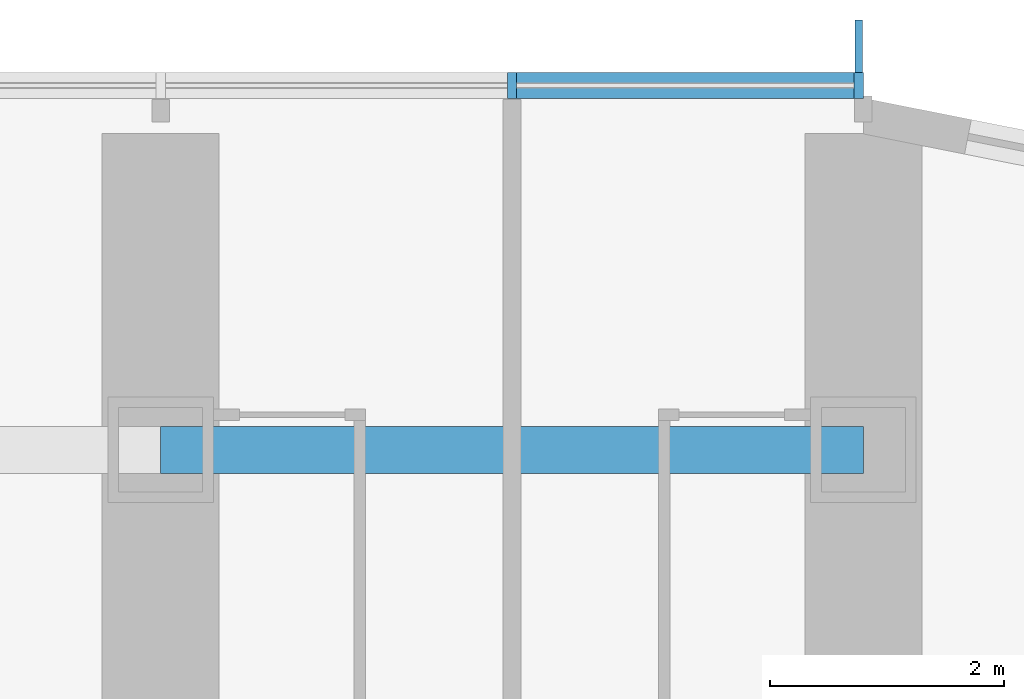
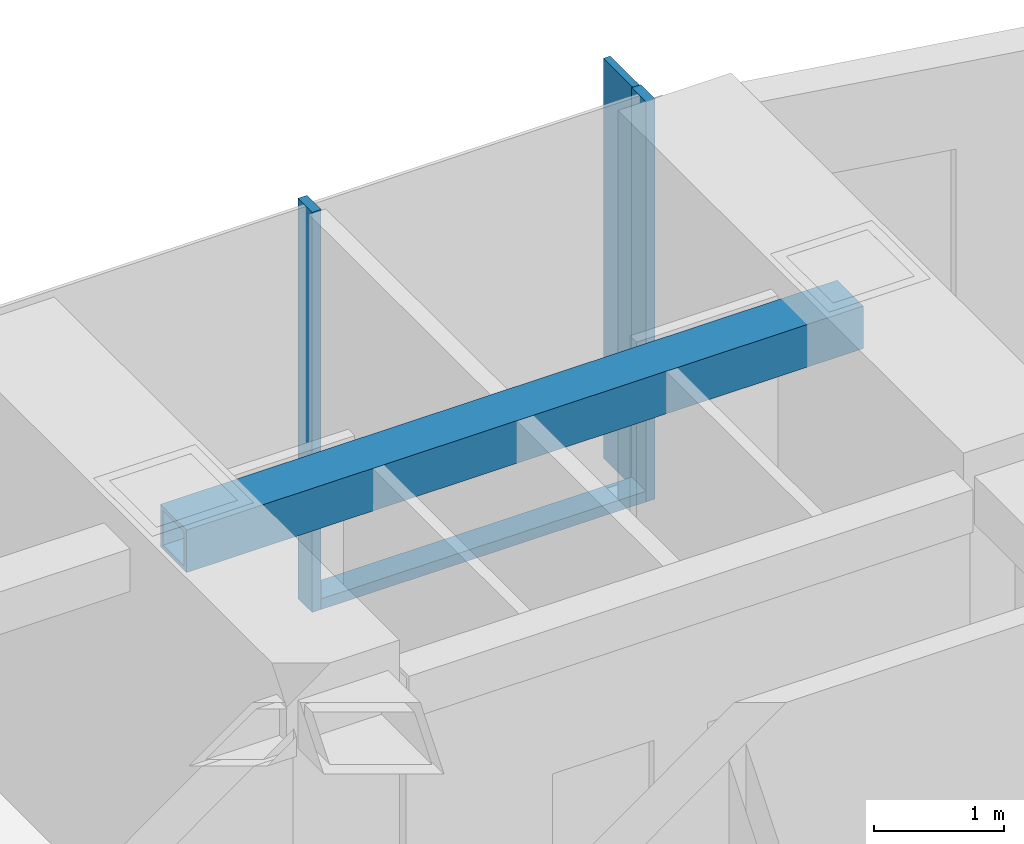
# One storey, part 7 of 23: 4 members, 1 beam, 1 element without a shape of its own.
"""IFC4 building model written with IfcOpenShell, lengths in metres."""

from ifc_helpers import new_model, si_unit, direction, frame, origin, origin_2d, place, context, subcontext, project, spatial, rectangle, hollow_rectangle, extrude, material, material_profile, profile_set, type_object, element, aggregate, save


model = new_model("IFC4")

# Units and contexts
model_context = context("Model", 3, precision=1e-05, world=origin(), true_north=direction((0.0, 1.0)))
body_context = subcontext(model_context, "Body", "Model", "MODEL_VIEW")
ifc_project = project(units=[si_unit("LENGTHUNIT", "METRE"), si_unit("AREAUNIT", "SQUARE_METRE"), si_unit("VOLUMEUNIT", "CUBIC_METRE"), si_unit("PLANEANGLEUNIT", "RADIAN"), si_unit("MASSUNIT", "GRAM", prefix="KILO")], contexts=[model_context])

# Site, building, storey
site_placement = place(None, origin())
site = spatial("IfcSite", under=ifc_project, at=site_placement, CompositionType="ELEMENT")
building_placement = place(site_placement, origin())
building = spatial("IfcBuilding", under=site, at=building_placement, Name="Orbita Commons", CompositionType="ELEMENT")
storey_placement = place(building_placement, frame((0.0, 0.0, 46.449951171875)))
storey = spatial("IfcBuildingStorey", under=building, at=storey_placement, Name="L11", CompositionType="ELEMENT", Elevation=46.449951171875)

# Curtain wall, members
ifc_material_1 = material(Name="Anodised aluminium frame, pale silver", Category="aluminium")
curtain_wall_type = type_object("IfcCurtainWallType", Name="Unitised curtain wall CW-T, vision and spandrel", PredefinedType="NOTDEFINED", material=ifc_material_1)
curtain_wall_placement = place(storey_placement, origin())
curtain_wall = element("IfcCurtainWall", 1, at=curtain_wall_placement, inside=storey, type_object=curtain_wall_type, Name="Curtain wall north L11", PredefinedType="NOTDEFINED")
ifc_material_2 = material(Name="Anodised aluminium, pale silver", Category="aluminium")
ifc_material_profile_1 = material_profile(ifc_material_2, rectangle(XDim=0.080078125, YDim=0.219970703125, at=origin_2d()), Name="AL 80x220")
ifc_profile_set_1 = profile_set([ifc_material_profile_1], Name="Anodised aluminium, pale silver")
member_type_1 = type_object("IfcMemberType", Name="Curtain wall mullion 80x220", PredefinedType="MULLION", material=ifc_profile_set_1)
member_1_placement = place(storey_placement, frame((71.9599609375, 56.7099609375, -0.25), z_axis=(0.0, 0.0, 1.0), x_axis=(-1.0, 0.0, 0.0)))
member_1 = element("IfcMember", 2, at=member_1_placement, type_object=member_type_1, Name="Mullion 1 CW-L11-N", PredefinedType="MULLION", context=body_context, shape_type="SweptSolid", body=[
    extrude(rectangle(XDim=0.080078125, YDim=0.219970703125, at=origin_2d()), origin(), (0.0, 0.0, 1.0), 3.75),
])
member_2_placement = place(storey_placement, frame((69.0, 56.7099609375, -0.25), z_axis=(0.0, 0.0, 1.0), x_axis=(-1.0, 0.0, 0.0)))
member_2 = element("IfcMember", 3, at=member_2_placement, type_object=member_type_1, Name="Mullion 2 CW-L11-N", PredefinedType="MULLION", context=body_context, shape_type="SweptSolid", body=[
    extrude(rectangle(XDim=0.080078125, YDim=0.219970703125, at=origin_2d()), origin(), (0.0, 0.0, 1.0), 3.75),
])
ifc_material_3 = material(Name="Anodised aluminium, pale silver", Category="aluminium")
ifc_material_profile_2 = material_profile(ifc_material_3, rectangle(XDim=0.219970703125, YDim=0.10009765625, at=origin_2d()), Name="AL 220x100")
ifc_profile_set_2 = profile_set([ifc_material_profile_2], Name="Anodised aluminium, pale silver")
member_type_2 = type_object("IfcMemberType", Name="Curtain wall stack transom 220x100", PredefinedType="USERDEFINED", material=ifc_profile_set_2)
member_3_placement = place(storey_placement, frame((71.919921875, 56.7099609375, -0.199951171875), z_axis=(-1.0, 0.0, 0.0), x_axis=(0.0, -1.0, 0.0)))
member_3 = element("IfcMember", 4, at=member_3_placement, type_object=member_type_2, Name="Transom 1.1 CW-L11-N", ObjectType="TRANSOM", PredefinedType="USERDEFINED", context=body_context, shape_type="SweptSolid", body=[
    extrude(rectangle(XDim=0.219970703125, YDim=0.10009765625, at=origin_2d()), origin(), (0.0, 0.0, 1.0), 2.8798828125),
])

# Beam
ifc_material_4 = material(Name="Steel ASTM A572 Gr 50 welded plate", Category="steel")
ifc_material_profile_3 = material_profile(ifc_material_4, hollow_rectangle(XDim=0.39990234375, YDim=0.39990234375, WallThickness=0.0400390625, at=origin_2d()), Name="BOX 400x400x40")
ifc_profile_set_3 = profile_set([ifc_material_profile_3], Name="Steel ASTM A572 Gr 50 welded plate")
beam_type = type_object("IfcBeamType", Name="Steel spandrel BOX 400x400x40", PredefinedType="SPANDREL", material=ifc_profile_set_3)
beam_placement = place(storey_placement, frame((66.0, 53.60009765625, 3.300048828125), z_axis=(1.0, 0.0, 0.0), x_axis=(0.0, 1.0, 0.0)))
element("IfcBeam", 5, at=beam_placement, inside=storey, type_object=beam_type, Name="Spandrel beam E 12-13 L11", PredefinedType="SPANDREL", context=body_context, shape_type="SweptSolid", body=[
    extrude(hollow_rectangle(XDim=0.39990234375, YDim=0.39990234375, WallThickness=0.0400390625, at=origin_2d()), origin(), (0.0, 0.0, 1.0), 6.0),
])

# Member
ifc_material_5 = material(Name="Anodised aluminium, pale silver", Category="aluminium")
ifc_material_profile_4 = material_profile(ifc_material_5, rectangle(XDim=0.06005859375, YDim=0.449951171875, at=origin_2d()), Name="FIN 60x450")
ifc_profile_set_4 = profile_set([ifc_material_profile_4], Name="Anodised aluminium, pale silver")
member_type_3 = type_object("IfcMemberType", Name="Vertical fin 60x450 pale aluminium", PredefinedType="USERDEFINED", material=ifc_profile_set_4)
member_4_placement = place(storey_placement, frame((71.9599609375, 57.044921875, -0.25), z_axis=(0.0, 0.0, 1.0), x_axis=(-1.0, 0.0, 0.0)))
member_4 = element("IfcMember", 6, at=member_4_placement, type_object=member_type_3, Name="Fin 1 CW-L11-N", ObjectType="FIN", PredefinedType="USERDEFINED", context=body_context, shape_type="SweptSolid", body=[
    extrude(rectangle(XDim=0.06005859375, YDim=0.449951171875, at=origin_2d()), origin(), (0.0, 0.0, 1.0), 3.75),
])

aggregate(curtain_wall, [member_1, member_4, member_2, member_3])

save(model, "model.ifc")
